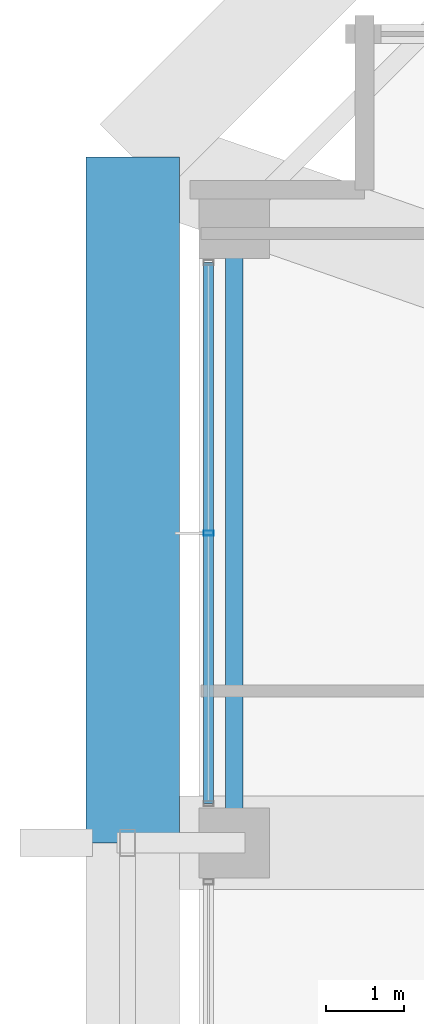
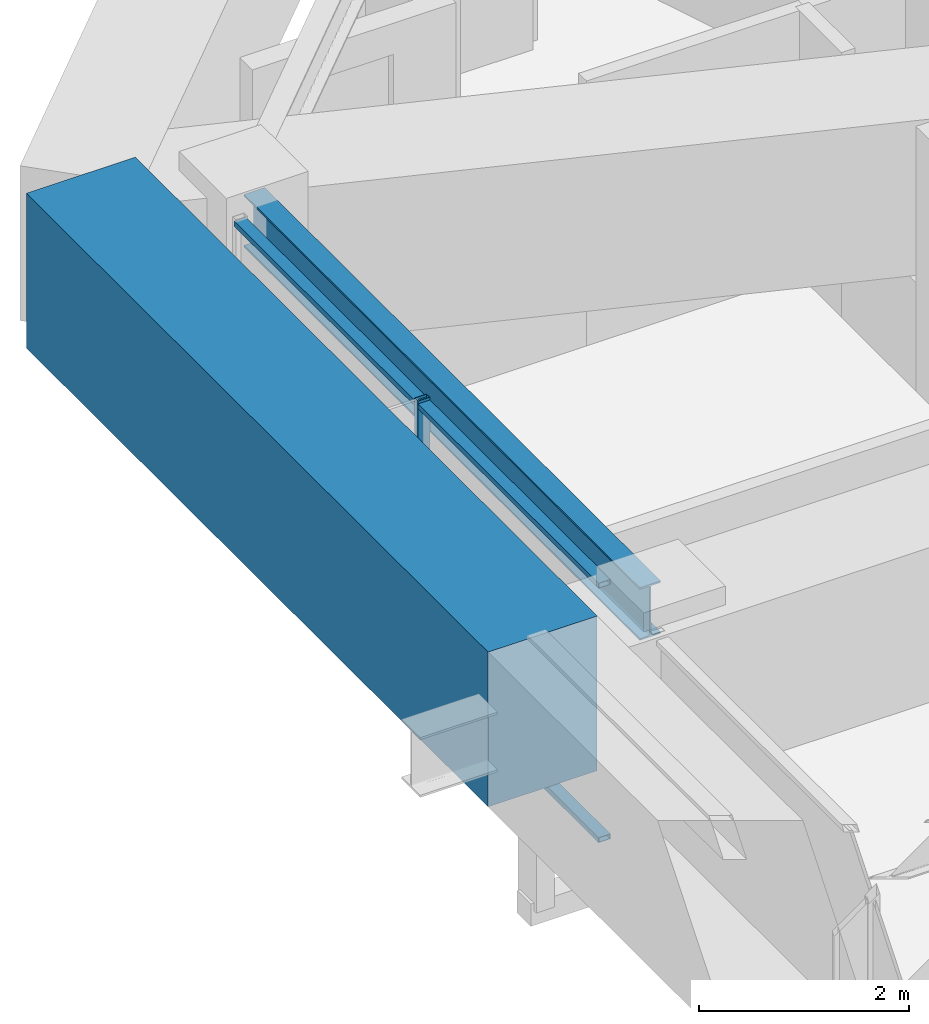
# One storey, part 13 of 40: 3 members, 2 beams, 1 element without a shape of its own.
"""IFC4 building model written with IfcOpenShell, lengths in metres."""

from ifc_helpers import new_model, si_unit, direction, frame, origin, origin_2d, place, context, subcontext, project, spatial, rectangle, hollow_rectangle, i_section, extrude, material, material_profile, profile_set, type_object, element, aggregate, save


model = new_model("IFC4")

# Units and contexts
model_context = context("Model", 3, precision=1e-05, world=origin(), true_north=direction((0.0, 1.0)))
body_context = subcontext(model_context, "Body", "Model", "MODEL_VIEW")
ifc_project = project(units=[si_unit("LENGTHUNIT", "METRE"), si_unit("AREAUNIT", "SQUARE_METRE"), si_unit("VOLUMEUNIT", "CUBIC_METRE"), si_unit("PLANEANGLEUNIT", "RADIAN"), si_unit("MASSUNIT", "GRAM", prefix="KILO")], contexts=[model_context])

# Site, building, storey
site_placement = place(None, origin())
site = spatial("IfcSite", under=ifc_project, at=site_placement, CompositionType="ELEMENT")
building_placement = place(site_placement, origin())
building = spatial("IfcBuilding", under=site, at=building_placement, Name="Kolvaren Belvedere", CompositionType="ELEMENT")
storey_placement = place(building_placement, frame((0.0, 0.0, 170.10009765625)))
storey = spatial("IfcBuildingStorey", under=building, at=storey_placement, Name="L49", CompositionType="ELEMENT", Elevation=170.10009765625)

# Beams
ifc_material_1 = material(Name="Structural steel ASTM A992 Grade 50", Category="steel")
ifc_material_profile_1 = material_profile(ifc_material_1, i_section(OverallWidth=0.22900390625, OverallDepth=0.612060546875, WebThickness=0.011962890625, FlangeThickness=0.01953125, FilletRadius=0.01806640625, at=origin_2d()), Name="W24X84")
ifc_profile_set_1 = profile_set([ifc_material_profile_1], Name="Structural steel ASTM A992 Grade 50")
beam_type_1 = type_object("IfcBeamType", Name="BM-SPAN-W24X84", PredefinedType="SPANDREL", material=ifc_profile_set_1)
beam_1_placement = place(storey_placement, frame((-18.64990234375, 12.347412109375, 2.77392578125), z_axis=(0.0, -1.0, 0.0), x_axis=(1.0, 0.0, 0.0)))
element("IfcBeam", 1, at=beam_1_placement, inside=storey, type_object=beam_type_1, Name="L49 Perimeter Spandrel W4-W3", PredefinedType="SPANDREL", context=body_context, shape_type="SweptSolid", body=[
    extrude(i_section(OverallWidth=0.22900390625, OverallDepth=0.612060546875, WebThickness=0.011962890625, FlangeThickness=0.01953125, FilletRadius=0.01806640625, at=origin_2d()), origin(), (0.0, 0.0, 1.0), 7.544921875),
])
ifc_material_2 = material(Name="Concrete C50/60", Category="concrete")
ifc_material_profile_2 = material_profile(ifc_material_2, rectangle(XDim=1.199951171875, YDim=1.800048828125, at=origin_2d()), Name="RC 1200X1800")
ifc_profile_set_2 = profile_set([ifc_material_profile_2], Name="Concrete C50/60")
beam_type_2 = type_object("IfcBeamType", Name="BM-TG-1800", PredefinedType="BEAM", material=ifc_profile_set_2)
beam_2_placement = place(storey_placement, frame((-19.949951171875, 13.39990234375, 2.179931640625), z_axis=(0.0, -1.0, 0.0), x_axis=(1.0, 0.0, 0.0)))
element("IfcBeam", 2, at=beam_2_placement, inside=storey, type_object=beam_type_2, Name="L49 Step Transfer Ring Girder W4-W3", PredefinedType="BEAM", context=body_context, shape_type="SweptSolid", body=[
    extrude(rectangle(XDim=1.199951171875, YDim=1.800048828125, at=origin_2d()), origin(), (0.0, 0.0, 1.0), 8.7998046875),
])

# Curtain wall, members
ifc_material_3 = material(Name="Anodised pale-metal aluminium AA 6063-T6", Category="aluminium")
curtain_wall_type = type_object("IfcCurtainWallType", Name="CW-Z3-WAIST", PredefinedType="NOTDEFINED", material=ifc_material_3)
curtain_wall_placement = place(storey_placement, origin())
curtain_wall = element("IfcCurtainWall", 3, at=curtain_wall_placement, inside=storey, type_object=curtain_wall_type, Name="L49 Unitised Curtain Wall FCW-L49-W-B3", PredefinedType="NOTDEFINED")
ifc_material_4 = material(Name="Anodised pale-metal aluminium AA 6063-T6", Category="aluminium")
ifc_material_profile_3 = material_profile(ifc_material_4, hollow_rectangle(XDim=0.06494140625, YDim=0.1298828125, WallThickness=0.00390625, at=origin_2d()), Name="ALU-MUL-130X65")
ifc_profile_set_3 = profile_set([ifc_material_profile_3], Name="Anodised pale-metal aluminium AA 6063-T6")
member_type_1 = type_object("IfcMemberType", Name="CW-MUL-130", PredefinedType="MULLION", material=ifc_profile_set_3)
member_1_placement = place(storey_placement, frame((-18.97998046875, 8.574951171875, 0.0), z_axis=(0.0, 0.0, 1.0), x_axis=(0.0, 1.0, 0.0)))
member_1 = element("IfcMember", 4, at=member_1_placement, type_object=member_type_1, Name="FCW-L49-W-B3 Unitised Mullion 2", PredefinedType="MULLION", context=body_context, shape_type="SweptSolid", body=[
    extrude(hollow_rectangle(XDim=0.06494140625, YDim=0.1298828125, WallThickness=0.00390625, at=origin_2d()), origin(), (0.0, 0.0, 1.0), 3.079833984375),
])
ifc_material_5 = material(Name="Anodised pale-metal aluminium AA 6063-T6", Category="aluminium")
ifc_material_profile_4 = material_profile(ifc_material_5, hollow_rectangle(XDim=0.06005859375, YDim=0.1298828125, WallThickness=0.00390625, at=origin_2d()), Name="ALU-TRN-130X60")
ifc_profile_set_4 = profile_set([ifc_material_profile_4], Name="Anodised pale-metal aluminium AA 6063-T6")
member_type_2 = type_object("IfcMemberType", Name="CW-TRN-130", PredefinedType="USERDEFINED", material=ifc_profile_set_4)
member_2_placement = place(storey_placement, frame((-18.97998046875, 5.1025390625, 0.059814453125), z_axis=(0.0, 1.0, 0.0), x_axis=(0.0, 0.0, 1.0)))
member_2 = element("IfcMember", 5, at=member_2_placement, type_object=member_type_2, Name="FCW-L49-W-B3 Sill Transom", ObjectType="TRANSOM", PredefinedType="USERDEFINED", context=body_context, shape_type="SweptSolid", body=[
    extrude(hollow_rectangle(XDim=0.06005859375, YDim=0.1298828125, WallThickness=0.00390625, at=origin_2d()), origin(), (0.0, 0.0, 1.0), 6.945068359375),
])
member_3_placement = place(storey_placement, frame((-18.97998046875, 5.1025390625, 3.02001953125), z_axis=(0.0, 1.0, 0.0), x_axis=(0.0, 0.0, 1.0)))
member_3 = element("IfcMember", 6, at=member_3_placement, type_object=member_type_2, Name="FCW-L49-W-B3 Head Transom", ObjectType="TRANSOM", PredefinedType="USERDEFINED", context=body_context, shape_type="SweptSolid", body=[
    extrude(hollow_rectangle(XDim=0.06005859375, YDim=0.1298828125, WallThickness=0.00390625, at=origin_2d()), origin(), (0.0, 0.0, 1.0), 6.945068359375),
])
aggregate(curtain_wall, [member_1, member_2, member_3])

save(model, "model.ifc")
